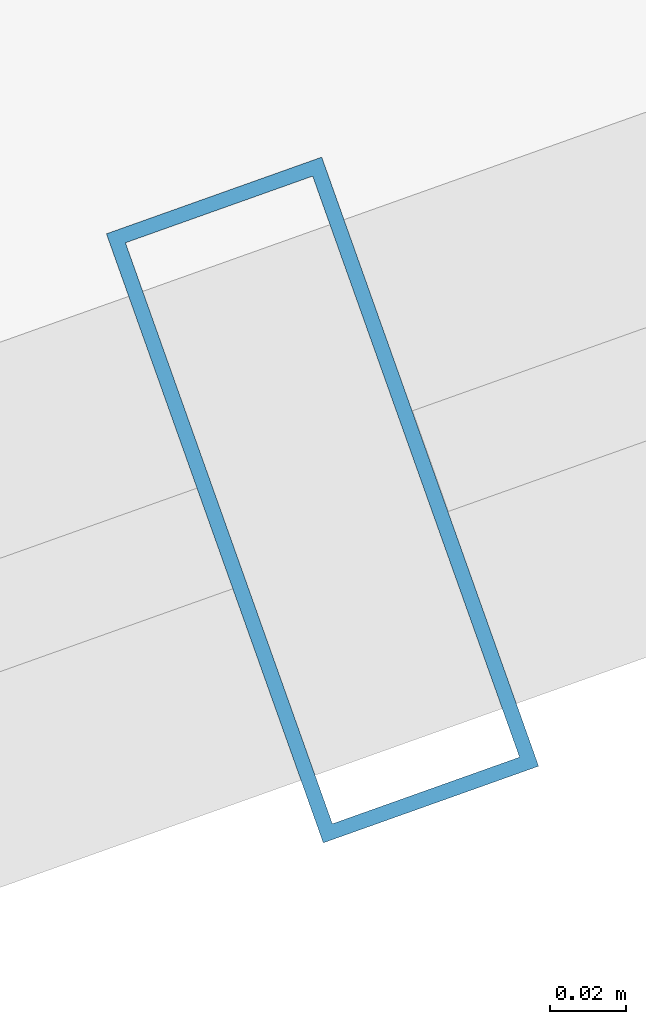
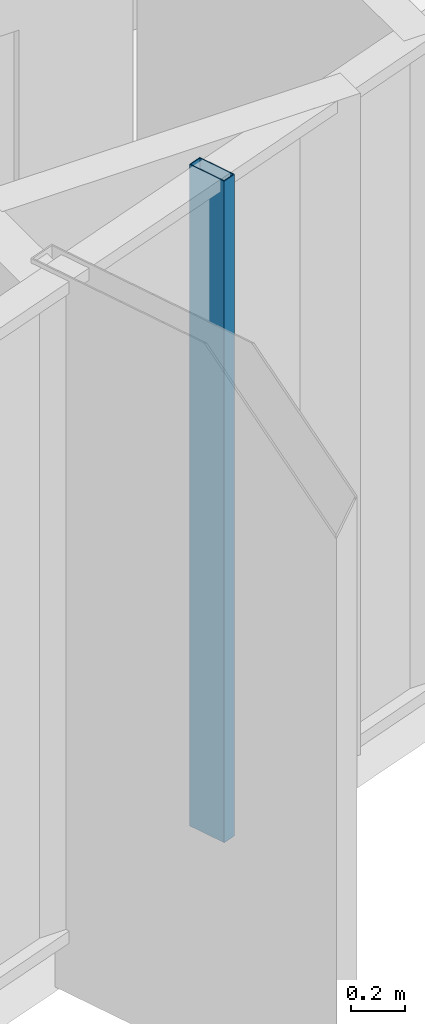
# One storey, part 9 of 33: 1 member, 1 element without a shape of its own.
"""IFC4 building model written with IfcOpenShell, lengths in metres."""

from ifc_helpers import new_model, si_unit, direction, frame, origin, origin_2d, place, context, subcontext, project, spatial, hollow_rectangle, extrude, source, transform, mapped, material, layer, layer_set, material_profile, profile_set, type_object, element, aggregate, save


model = new_model("IFC4")

# Units and contexts
model_context = context("Model", 3, precision=1e-05, world=origin(), true_north=direction((0.0, 1.0)))
body_context = subcontext(model_context, "Body", "Model", "MODEL_VIEW")
ifc_project = project(units=[si_unit("LENGTHUNIT", "METRE"), si_unit("AREAUNIT", "SQUARE_METRE"), si_unit("VOLUMEUNIT", "CUBIC_METRE"), si_unit("PLANEANGLEUNIT", "RADIAN"), si_unit("MASSUNIT", "GRAM", prefix="KILO")], contexts=[model_context])

# Site, building, storey
site_placement = place(None, origin())
site = spatial("IfcSite", under=ifc_project, at=site_placement, CompositionType="ELEMENT")
building_placement = place(site_placement, origin())
building = spatial("IfcBuilding", under=site, at=building_placement, Name="Veraguas Prism Commons", CompositionType="ELEMENT")
storey_placement = place(building_placement, frame((0.0, 0.0, 92.699951171875)))
storey = spatial("IfcBuildingStorey", under=building, at=storey_placement, Name="L25", CompositionType="ELEMENT", Elevation=92.699951171875)

# Curtain wall, member
ifc_material = material(Name="Anodised aluminium EN AW-6063 T6", Category="aluminium")
ifc_layer = layer(ifc_material, 0.169921875, Name="Unitised Flush Curtain Wall Zone 2", Category="aluminium")
ifc_layer_set = layer_set([ifc_layer], Name="Anodised aluminium EN AW-6063 T6")
curtain_wall_type = type_object("IfcCurtainWallType", Name="Unitised Flush Curtain Wall Zone 2", PredefinedType="NOTDEFINED", material=ifc_layer_set)
curtain_wall_placement = place(storey_placement, origin())
curtain_wall = element("IfcCurtainWall", 1, at=curtain_wall_placement, inside=storey, type_object=curtain_wall_type, Name="Tower Facade Curtain Wall L25-F5", PredefinedType="NOTDEFINED")
ifc_material_profile = material_profile(ifc_material, hollow_rectangle(XDim=0.06005859375, YDim=0.169921875, WallThickness=0.00390625, at=origin_2d()), Name="AL60X170X4")
ifc_profile_set = profile_set([ifc_material_profile], Name="Anodised aluminium EN AW-6063 T6")
member_type = type_object("IfcMemberType", Name="Curtain Wall Mullion Lower AL 60x170x4", PredefinedType="MULLION", material=ifc_profile_set)
shared_shape = source(origin(), body_context, "Body", "SweptSolid", [
    extrude(hollow_rectangle(XDim=0.06005859375, YDim=0.169921875, WallThickness=0.00390625, at=origin_2d()), origin(), (0.0, 0.0, 1.0), 3.0),
])
member_placement = place(storey_placement, frame((34.49365234375, 7.374267578125, 0.0), z_axis=(0.0, 0.0, 1.0), x_axis=(0.942055696354, 0.335456502347, 0.0)))
member = element("IfcMember", 2, at=member_placement, type_object=member_type, Name="CW-Z2 Mullion 4", PredefinedType="MULLION", context=body_context, shape_type="MappedRepresentation", body=[
    mapped(shared_shape, transform((0.0, 0.0, 0.0), scale=1.0)),
])
aggregate(curtain_wall, [member])

save(model, "model.ifc")
